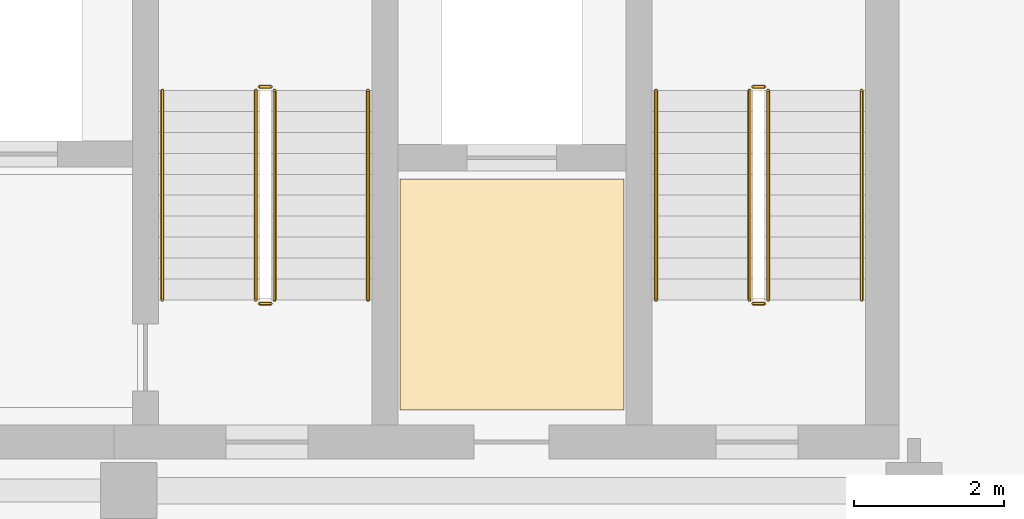
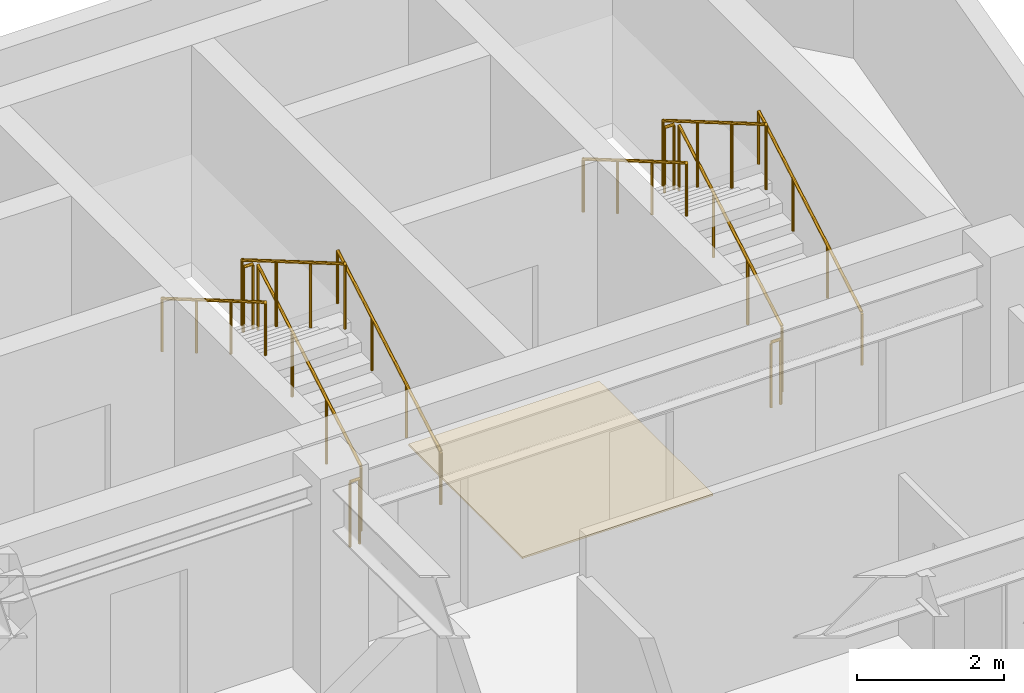
# One storey, part 17 of 17: 12 railings, 1 covering.
"""IFC4 building model written with IfcOpenShell, lengths in metres."""

from ifc_helpers import new_model, si_unit, direction, frame, origin, origin_2d, place, context, subcontext, project, spatial, polyline, circle, outline, extrude, material, layer, layer_set, type_object, element, save


model = new_model("IFC4")

# Units and contexts
model_context = context("Model", 3, precision=1e-05, world=origin(), true_north=direction((0.0, 1.0)))
body_context = subcontext(model_context, "Body", "Model", "MODEL_VIEW")
ifc_project = project(units=[si_unit("LENGTHUNIT", "METRE"), si_unit("AREAUNIT", "SQUARE_METRE"), si_unit("VOLUMEUNIT", "CUBIC_METRE"), si_unit("PLANEANGLEUNIT", "RADIAN"), si_unit("MASSUNIT", "GRAM", prefix="KILO")], contexts=[model_context])

# Site, building, storey
site_placement = place(None, origin())
site = spatial("IfcSite", under=ifc_project, at=site_placement, CompositionType="ELEMENT")
building_placement = place(site_placement, origin())
building = spatial("IfcBuilding", under=site, at=building_placement, Name="Kravanh Interchange Tower", CompositionType="ELEMENT")
storey_placement = place(building_placement, frame((0.0, 0.0, 249.0)))
storey = spatial("IfcBuildingStorey", under=building, at=storey_placement, Name="L60", CompositionType="ELEMENT", Elevation=249.0)

# Covering
ifc_material_1 = material(Name="Cementitious Terrazzo Tile")
ifc_layer_1 = layer(ifc_material_1, 0.030029296875)
ifc_layer_set_1 = layer_set([ifc_layer_1], Name="Honed Terrazzo Lobby Flooring 30mm")
covering_type = type_object("IfcCoveringType", Name="Honed Terrazzo Lobby Flooring 30mm", PredefinedType="FLOORING", material=ifc_layer_set_1)
covering_placement = place(storey_placement, origin())
element("IfcCovering", 1, at=covering_placement, inside=storey, type_object=covering_type, Name="L60 Service Lift Lobby Floor Finish", PredefinedType="FLOORING", context=body_context, shape_type="SweptSolid", body=[
    extrude(outline(polyline([(59.6298828125, 41.52001953125), (62.6201171875, 41.52001953125), (62.6201171875, 38.429931640625), (59.6298828125, 38.429931640625), (59.6298828125, 41.52001953125)])), origin(), (0.0, 0.0, 1.0), 0.030029296875),
])

# Railings
ifc_material_2 = material(Name="Structural Steel S355", Category="steel")
ifc_layer_2 = layer(ifc_material_2, 0.050048828125)
ifc_layer_set_2 = layer_set([ifc_layer_2], Name="Stair Well Guardrail Structural Steel S355 1100mm")
railing_type_1 = type_object("IfcRailingType", Name="Stair Well Guardrail Structural Steel S355 1100mm", PredefinedType="GUARDRAIL", material=ifc_layer_set_2)
railing_1_placement = place(storey_placement, frame((64.550048828125, 39.89990234375, 0.16357421875)))
element("IfcRailing", 2, at=railing_1_placement, inside=storey, type_object=railing_type_1, Name="L60 ST1 stair guard 1", PredefinedType="GUARDRAIL", context=body_context, shape_type="SweptSolid", body=[
    extrude(circle(Radius=0.02392578125, at=origin_2d()), frame((0.0, 0.0, 1.076171875), z_axis=(0.0, 0.863360870873, 0.504586966384), x_axis=(-1.0, 0.0, 0.0)), (0.0, 0.0, 1.0), 3.2431640625),
    extrude(circle(Radius=0.02099609375, at=origin_2d()), origin(), (0.0, 0.0, 1.0), 1.052001953125),
    extrude(circle(Radius=0.02099609375, at=origin_2d()), frame((0.0, 0.933349609375, 0.54541015625)), (0.0, 0.0, 1.0), 1.052001953125),
    extrude(circle(Radius=0.02099609375, at=origin_2d()), frame((0.0, 1.86669921875, 1.091064453125)), (0.0, 0.0, 1.0), 1.052001953125),
    extrude(circle(Radius=0.02099609375, at=origin_2d()), frame((0.0, 2.800048828125, 1.636474609375)), (0.0, 0.0, 1.0), 1.052001953125),
])
railing_2_placement = place(storey_placement, frame((64.5, 42.75, 1.800048828125)))
element("IfcRailing", 3, at=railing_2_placement, inside=storey, type_object=railing_type_1, Name="L60 ST1 stair guard 2", PredefinedType="GUARDRAIL", context=body_context, shape_type="SweptSolid", body=[
    extrude(circle(Radius=0.02392578125, at=origin_2d()), frame((0.0, 0.0, 1.076171875), z_axis=(-1.0, 0.0, 0.0), x_axis=(0.0, -1.0, 0.0)), (0.0, 0.0, 1.0), 0.14990234375),
    extrude(circle(Radius=0.02099609375, at=origin_2d()), origin(), (0.0, 0.0, 1.0), 1.052001953125),
    extrude(circle(Radius=0.02099609375, at=origin_2d()), frame((-0.14990234375, 0.0, 0.0)), (0.0, 0.0, 1.0), 1.052001953125),
])
railing_3_placement = place(storey_placement, frame((64.300048828125, 42.699951171875, 1.963623046875)))
element("IfcRailing", 4, at=railing_3_placement, inside=storey, type_object=railing_type_1, Name="L60 ST1 stair guard 3", PredefinedType="GUARDRAIL", context=body_context, shape_type="SweptSolid", body=[
    extrude(circle(Radius=0.02392578125, at=origin_2d()), frame((0.0, 0.0, 1.076171875), z_axis=(0.0, -0.863360870873, 0.504586966384), x_axis=(1.0, 0.0, 0.0)), (0.0, 0.0, 1.0), 3.2431640625),
    extrude(circle(Radius=0.02099609375, at=origin_2d()), origin(), (0.0, 0.0, 1.0), 1.052001953125),
    extrude(circle(Radius=0.02099609375, at=origin_2d()), frame((0.0, -0.933349609375, 0.54541015625)), (0.0, 0.0, 1.0), 1.052001953125),
    extrude(circle(Radius=0.02099609375, at=origin_2d()), frame((0.0, -1.86669921875, 1.091064453125)), (0.0, 0.0, 1.0), 1.052001953125),
    extrude(circle(Radius=0.02099609375, at=origin_2d()), frame((0.0, -2.800048828125, 1.636474609375)), (0.0, 0.0, 1.0), 1.052001953125),
])
railing_4_placement = place(storey_placement, frame((64.5, 39.85009765625, 0.0)))
element("IfcRailing", 5, at=railing_4_placement, inside=storey, type_object=railing_type_1, Name="L60 ST1 stair guard 4", PredefinedType="GUARDRAIL", context=body_context, shape_type="SweptSolid", body=[
    extrude(circle(Radius=0.02392578125, at=origin_2d()), frame((0.0, 0.0, 1.076171875), z_axis=(-1.0, 0.0, 0.0), x_axis=(0.0, -1.0, 0.0)), (0.0, 0.0, 1.0), 0.14990234375),
    extrude(circle(Radius=0.02099609375, at=origin_2d()), origin(), (0.0, 0.0, 1.0), 1.052001953125),
    extrude(circle(Radius=0.02099609375, at=origin_2d()), frame((-0.14990234375, 0.0, 0.0)), (0.0, 0.0, 1.0), 1.052001953125),
])
railing_5_placement = place(storey_placement, frame((57.949951171875, 39.89990234375, 0.16357421875)))
element("IfcRailing", 6, at=railing_5_placement, inside=storey, type_object=railing_type_1, Name="L60 ST2 stair guard 1", PredefinedType="GUARDRAIL", context=body_context, shape_type="SweptSolid", body=[
    extrude(circle(Radius=0.02392578125, at=origin_2d()), frame((0.0, 0.0, 1.076171875), z_axis=(0.0, 0.863360870873, 0.504586966384), x_axis=(-1.0, 0.0, 0.0)), (0.0, 0.0, 1.0), 3.2431640625),
    extrude(circle(Radius=0.02099609375, at=origin_2d()), origin(), (0.0, 0.0, 1.0), 1.052001953125),
    extrude(circle(Radius=0.02099609375, at=origin_2d()), frame((0.0, 0.933349609375, 0.54541015625)), (0.0, 0.0, 1.0), 1.052001953125),
    extrude(circle(Radius=0.02099609375, at=origin_2d()), frame((0.0, 1.86669921875, 1.091064453125)), (0.0, 0.0, 1.0), 1.052001953125),
    extrude(circle(Radius=0.02099609375, at=origin_2d()), frame((0.0, 2.800048828125, 1.636474609375)), (0.0, 0.0, 1.0), 1.052001953125),
])
railing_6_placement = place(storey_placement, frame((57.89990234375, 42.75, 1.800048828125)))
element("IfcRailing", 7, at=railing_6_placement, inside=storey, type_object=railing_type_1, Name="L60 ST2 stair guard 2", PredefinedType="GUARDRAIL", context=body_context, shape_type="SweptSolid", body=[
    extrude(circle(Radius=0.02392578125, at=origin_2d()), frame((0.0, 0.0, 1.076171875), z_axis=(-1.0, 0.0, 0.0), x_axis=(0.0, -1.0, 0.0)), (0.0, 0.0, 1.0), 0.14990234375),
    extrude(circle(Radius=0.02099609375, at=origin_2d()), origin(), (0.0, 0.0, 1.0), 1.052001953125),
    extrude(circle(Radius=0.02099609375, at=origin_2d()), frame((-0.14990234375, 0.0, 0.0)), (0.0, 0.0, 1.0), 1.052001953125),
])
railing_7_placement = place(storey_placement, frame((57.699951171875, 42.699951171875, 1.963623046875)))
element("IfcRailing", 8, at=railing_7_placement, inside=storey, type_object=railing_type_1, Name="L60 ST2 stair guard 3", PredefinedType="GUARDRAIL", context=body_context, shape_type="SweptSolid", body=[
    extrude(circle(Radius=0.02392578125, at=origin_2d()), frame((0.0, 0.0, 1.076171875), z_axis=(0.0, -0.863360870873, 0.504586966384), x_axis=(1.0, 0.0, 0.0)), (0.0, 0.0, 1.0), 3.2431640625),
    extrude(circle(Radius=0.02099609375, at=origin_2d()), origin(), (0.0, 0.0, 1.0), 1.052001953125),
    extrude(circle(Radius=0.02099609375, at=origin_2d()), frame((0.0, -0.933349609375, 0.54541015625)), (0.0, 0.0, 1.0), 1.052001953125),
    extrude(circle(Radius=0.02099609375, at=origin_2d()), frame((0.0, -1.86669921875, 1.091064453125)), (0.0, 0.0, 1.0), 1.052001953125),
    extrude(circle(Radius=0.02099609375, at=origin_2d()), frame((0.0, -2.800048828125, 1.636474609375)), (0.0, 0.0, 1.0), 1.052001953125),
])
railing_8_placement = place(storey_placement, frame((57.89990234375, 39.85009765625, 0.0)))
element("IfcRailing", 9, at=railing_8_placement, inside=storey, type_object=railing_type_1, Name="L60 ST2 stair guard 4", PredefinedType="GUARDRAIL", context=body_context, shape_type="SweptSolid", body=[
    extrude(circle(Radius=0.02392578125, at=origin_2d()), frame((0.0, 0.0, 1.076171875), z_axis=(-1.0, 0.0, 0.0), x_axis=(0.0, -1.0, 0.0)), (0.0, 0.0, 1.0), 0.14990234375),
    extrude(circle(Radius=0.02099609375, at=origin_2d()), origin(), (0.0, 0.0, 1.0), 1.052001953125),
    extrude(circle(Radius=0.02099609375, at=origin_2d()), frame((-0.14990234375, 0.0, 0.0)), (0.0, 0.0, 1.0), 1.052001953125),
])
ifc_material_3 = material(Name="Stainless Steel 304", Category="steel")
ifc_layer_3 = layer(ifc_material_3, 0.044921875)
ifc_layer_set_3 = layer_set([ifc_layer_3], Name="Tubular Stair Handrail Stainless 304 900mm")
railing_type_2 = type_object("IfcRailingType", Name="Tubular Stair Handrail Stainless 304 900mm", PredefinedType="HANDRAIL", material=ifc_layer_set_3)
railing_9_placement = place(storey_placement, frame((65.800048828125, 39.89990234375, 0.16357421875)))
element("IfcRailing", 10, at=railing_9_placement, inside=storey, type_object=railing_type_2, Name="L60 ST1 stair handrail 1", PredefinedType="HANDRAIL", context=body_context, shape_type="SweptSolid", body=[
    extrude(circle(Radius=0.02392578125, at=origin_2d()), frame((0.0, 0.0, 0.8759765625), z_axis=(0.0, 0.863360870873, 0.504586966384), x_axis=(-1.0, 0.0, 0.0)), (0.0, 0.0, 1.0), 3.2431640625),
    extrude(circle(Radius=0.02099609375, at=origin_2d()), origin(), (0.0, 0.0, 1.0), 0.851806640625),
    extrude(circle(Radius=0.02099609375, at=origin_2d()), frame((0.0, 0.933349609375, 0.54541015625)), (0.0, 0.0, 1.0), 0.851806640625),
    extrude(circle(Radius=0.02099609375, at=origin_2d()), frame((0.0, 1.86669921875, 1.091064453125)), (0.0, 0.0, 1.0), 0.851806640625),
    extrude(circle(Radius=0.02099609375, at=origin_2d()), frame((0.0, 2.800048828125, 1.636474609375)), (0.0, 0.0, 1.0), 0.851806640625),
])
railing_10_placement = place(storey_placement, frame((63.050048828125, 42.699951171875, 1.963623046875)))
element("IfcRailing", 11, at=railing_10_placement, inside=storey, type_object=railing_type_2, Name="L60 ST1 stair handrail 2", PredefinedType="HANDRAIL", context=body_context, shape_type="SweptSolid", body=[
    extrude(circle(Radius=0.02392578125, at=origin_2d()), frame((0.0, 0.0, 0.8759765625), z_axis=(0.0, -0.863360870873, 0.504586966384), x_axis=(1.0, 0.0, 0.0)), (0.0, 0.0, 1.0), 3.2431640625),
    extrude(circle(Radius=0.02099609375, at=origin_2d()), origin(), (0.0, 0.0, 1.0), 0.851806640625),
    extrude(circle(Radius=0.02099609375, at=origin_2d()), frame((0.0, -0.933349609375, 0.54541015625)), (0.0, 0.0, 1.0), 0.851806640625),
    extrude(circle(Radius=0.02099609375, at=origin_2d()), frame((0.0, -1.86669921875, 1.091064453125)), (0.0, 0.0, 1.0), 0.851806640625),
    extrude(circle(Radius=0.02099609375, at=origin_2d()), frame((0.0, -2.800048828125, 1.636474609375)), (0.0, 0.0, 1.0), 0.851806640625),
])
railing_11_placement = place(storey_placement, frame((59.199951171875, 39.89990234375, 0.16357421875)))
element("IfcRailing", 12, at=railing_11_placement, inside=storey, type_object=railing_type_2, Name="L60 ST2 stair handrail 1", PredefinedType="HANDRAIL", context=body_context, shape_type="SweptSolid", body=[
    extrude(circle(Radius=0.02392578125, at=origin_2d()), frame((0.0, 0.0, 0.8759765625), z_axis=(0.0, 0.863360870873, 0.504586966384), x_axis=(-1.0, 0.0, 0.0)), (0.0, 0.0, 1.0), 3.2431640625),
    extrude(circle(Radius=0.02099609375, at=origin_2d()), origin(), (0.0, 0.0, 1.0), 0.851806640625),
    extrude(circle(Radius=0.02099609375, at=origin_2d()), frame((0.0, 0.933349609375, 0.54541015625)), (0.0, 0.0, 1.0), 0.851806640625),
    extrude(circle(Radius=0.02099609375, at=origin_2d()), frame((0.0, 1.86669921875, 1.091064453125)), (0.0, 0.0, 1.0), 0.851806640625),
    extrude(circle(Radius=0.02099609375, at=origin_2d()), frame((0.0, 2.800048828125, 1.636474609375)), (0.0, 0.0, 1.0), 0.851806640625),
])
railing_12_placement = place(storey_placement, frame((56.449951171875, 42.699951171875, 1.963623046875)))
element("IfcRailing", 13, at=railing_12_placement, inside=storey, type_object=railing_type_2, Name="L60 ST2 stair handrail 2", PredefinedType="HANDRAIL", context=body_context, shape_type="SweptSolid", body=[
    extrude(circle(Radius=0.02392578125, at=origin_2d()), frame((0.0, 0.0, 0.8759765625), z_axis=(0.0, -0.863360870873, 0.504586966384), x_axis=(1.0, 0.0, 0.0)), (0.0, 0.0, 1.0), 3.2431640625),
    extrude(circle(Radius=0.02099609375, at=origin_2d()), origin(), (0.0, 0.0, 1.0), 0.851806640625),
    extrude(circle(Radius=0.02099609375, at=origin_2d()), frame((0.0, -0.933349609375, 0.54541015625)), (0.0, 0.0, 1.0), 0.851806640625),
    extrude(circle(Radius=0.02099609375, at=origin_2d()), frame((0.0, -1.86669921875, 1.091064453125)), (0.0, 0.0, 1.0), 0.851806640625),
    extrude(circle(Radius=0.02099609375, at=origin_2d()), frame((0.0, -2.800048828125, 1.636474609375)), (0.0, 0.0, 1.0), 0.851806640625),
])

save(model, "model.ifc")
